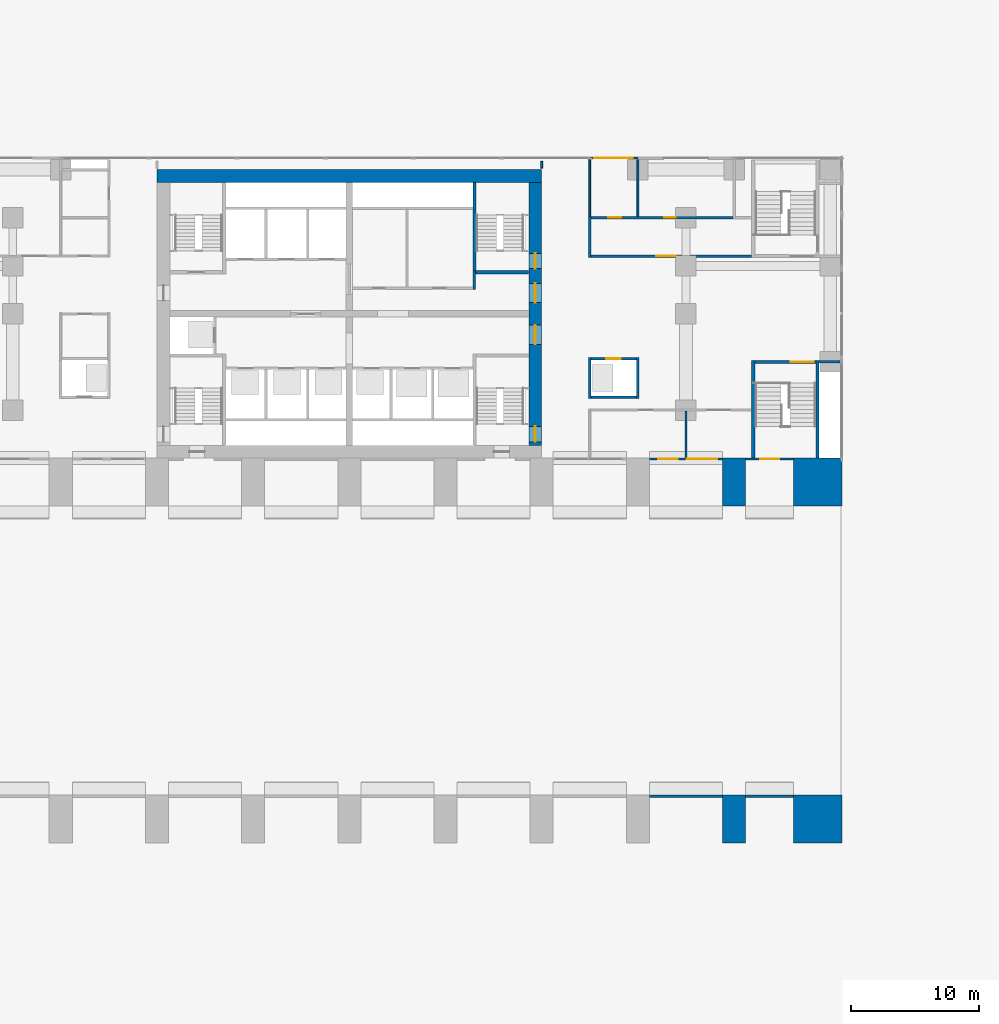
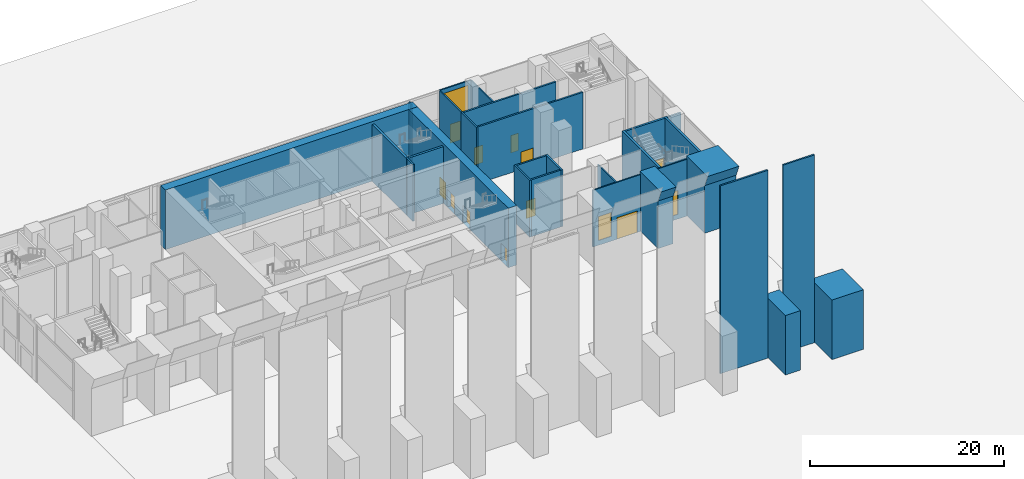
# One storey, part 14 of 21: 29 walls, 11 doors, 3 windows, 14 openings.
"""IFC4 building model written with IfcOpenShell, lengths in metres."""

from ifc_helpers import new_model, si_unit, direction, frame, frame_2d, origin, place, context, subcontext, project, spatial, polyline, rectangle, outline, extrude, material, layer, layer_set, type_object, element, fill, save


model = new_model("IFC4")

# Units and contexts
model_context = context("Model", 3, precision=1e-05, world=origin(), true_north=direction((0.0, 1.0)))
body_context = subcontext(model_context, "Body", "Model", "MODEL_VIEW")
ifc_project = project(units=[si_unit("LENGTHUNIT", "METRE"), si_unit("AREAUNIT", "SQUARE_METRE"), si_unit("VOLUMEUNIT", "CUBIC_METRE"), si_unit("PLANEANGLEUNIT", "RADIAN"), si_unit("MASSUNIT", "GRAM", prefix="KILO")], contexts=[model_context])

# Site, building, storey
site_placement = place(None, origin())
site = spatial("IfcSite", under=ifc_project, at=site_placement, CompositionType="ELEMENT")
building_placement = place(site_placement, origin())
building = spatial("IfcBuilding", under=site, at=building_placement, Name="Pilkhan Gate Tower", CompositionType="ELEMENT")
storey_placement = place(building_placement, origin())
storey = spatial("IfcBuildingStorey", under=building, at=storey_placement, Name="L00", CompositionType="ELEMENT", Elevation=0.0)

# Walls
ifc_material_1 = material(Name="Concrete C70/85", Category="concrete")
ifc_layer_1 = layer(ifc_material_1, 1.800048828125)
ifc_layer_set_1 = layer_set([ifc_layer_1], Name="Arch wall AW1800 C70/85")
wall_type_1 = type_object("IfcWallType", Name="Arch wall AW1800 C70/85", PredefinedType="SHEAR", material=ifc_layer_set_1)
wall_1_placement = place(storey_placement, frame((105.89990234375, 45.60107421875, 7.5), z_axis=(1.0, 0.0, 0.0), x_axis=(0.0, -1.0, 0.0)))
element("IfcWall", 1, at=wall_1_placement, inside=storey, type_object=wall_type_1, Name="Arch wall +30.00 L00-1", PredefinedType="SHEAR", context=body_context, shape_type="SweptSolid", body=[
    extrude(outline(polyline([(0.0, 0.0), (4.35107421875, 0.0), (4.35107421875, 7.5), (0.60107421875, 7.5), (0.60107421875, 1.5), (0.0, 0.0)])), origin(), (0.0, 0.0, -1.0), 1.800048828125),
])
wall_2_placement = place(storey_placement, frame((105.89990234375, 71.25, 7.5), z_axis=(1.0, 0.0, 0.0), x_axis=(0.0, -1.0, 0.0)))
element("IfcWall", 2, at=wall_2_placement, inside=storey, type_object=wall_type_1, Name="Arch wall +30.00 L00-2", PredefinedType="SHEAR", context=body_context, shape_type="SweptSolid", body=[
    extrude(outline(polyline([(0.0, 0.0), (4.35107421875, 0.0), (3.75, 1.5), (3.75, 7.5), (0.0, 7.5), (0.0, 0.0)])), origin(), (0.0, 0.0, -1.0), 1.800048828125),
])
ifc_layer_2 = layer(ifc_material_1, 3.75)
ifc_layer_set_2 = layer_set([ifc_layer_2], Name="Arch wall AW3750 C70/85")
wall_type_2 = type_object("IfcWallType", Name="Arch wall AW3750 C70/85", PredefinedType="SHEAR", material=ifc_layer_set_2)
wall_3_placement = place(storey_placement, frame((113.39990234375, 45.60107421875, 7.5), z_axis=(1.0, 0.0, 0.0), x_axis=(0.0, -1.0, 0.0)))
element("IfcWall", 3, at=wall_3_placement, inside=storey, type_object=wall_type_2, Name="Arch wall +37.50 L00-1", PredefinedType="SHEAR", context=body_context, shape_type="SweptSolid", body=[
    extrude(outline(polyline([(0.0, 0.0), (4.35107421875, 0.0), (4.35107421875, 7.5), (0.60107421875, 7.5), (0.60107421875, 1.5), (0.0, 0.0)])), origin(), (0.0, 0.0, -1.0), 3.75),
])
wall_4_placement = place(storey_placement, frame((113.39990234375, 71.25, 7.5), z_axis=(1.0, 0.0, 0.0), x_axis=(0.0, -1.0, 0.0)))
element("IfcWall", 4, at=wall_4_placement, inside=storey, type_object=wall_type_2, Name="Arch wall +37.50 L00-2", PredefinedType="SHEAR", context=body_context, shape_type="SweptSolid", body=[
    extrude(outline(polyline([(0.0, 0.0), (4.35107421875, 0.0), (3.75, 1.5), (3.75, 7.5), (0.0, 7.5), (0.0, 0.0)])), origin(), (0.0, 0.0, -1.0), 3.75),
])

# Wall, openings, doors
ifc_layer_3 = layer(ifc_material_1, 1.0)
ifc_layer_set_3 = layer_set([ifc_layer_3], Name="Core wall CW1000 C70/85")
wall_type_3 = type_object("IfcWallType", Name="Core wall CW1000 C70/85", PredefinedType="SHEAR", material=ifc_layer_set_3)
wall_5_placement = place(storey_placement, frame((89.5, 72.25, 0.0), z_axis=(0.0, 0.0, 1.0), x_axis=(0.0, 1.0, 0.0)))
wall_5 = element("IfcWall", 5, at=wall_5_placement, inside=storey, type_object=wall_type_3, Name="Core wall E L00", PredefinedType="SHEAR", context=body_context, shape_type="SweptSolid", body=[
    extrude(rectangle(XDim=20.5, YDim=1.0, at=frame_2d((10.25, 0.0))), origin(), (0.0, 0.0, 1.0), 7.5),
])
opening_1_placement = place(wall_5_placement, frame((0.27490234375, 0.0, 0.0)))
opening_1 = element("IfcOpeningElement", 6, at=opening_1_placement, cuts=wall_5, Name="Opening L00-03", PredefinedType="OPENING", context=body_context, shape_type="SweptSolid", body=[
    extrude(rectangle(XDim=1.199951171875, YDim=2.199951171875, at=frame_2d((0.60009765625, 1.10009765625))), frame((0.0, 0.510009765625, 0.0), z_axis=(0.0, -1.0, 0.0), x_axis=(1.0, 0.0, 0.0)), (0.0, 0.0, 1.0), 1.02001953125),
])
opening_2_placement = place(wall_5_placement, frame((13.77490234375, 0.0, 0.0)))
opening_2 = element("IfcOpeningElement", 7, at=opening_2_placement, cuts=wall_5, Name="Opening L00-05", PredefinedType="OPENING", context=body_context, shape_type="SweptSolid", body=[
    extrude(rectangle(XDim=1.199951171875, YDim=2.199951171875, at=frame_2d((0.60009765625, 1.10009765625))), frame((0.0, 0.510009765625, 0.0), z_axis=(0.0, -1.0, 0.0), x_axis=(1.0, 0.0, 0.0)), (0.0, 0.0, 1.0), 1.02001953125),
])
opening_3_placement = place(wall_5_placement, frame((7.875, 0.0, 0.0)))
opening_3 = element("IfcOpeningElement", 8, at=opening_3_placement, cuts=wall_5, Name="Opening L00-15", PredefinedType="OPENING", context=body_context, shape_type="SweptSolid", body=[
    extrude(rectangle(XDim=1.5, YDim=2.199951171875, at=frame_2d((0.75, 1.10009765625))), frame((0.0, 0.510009765625, 0.0), z_axis=(0.0, -1.0, 0.0), x_axis=(1.0, 0.0, 0.0)), (0.0, 0.0, 1.0), 1.02001953125),
])
opening_4_placement = place(wall_5_placement, frame((11.125, 0.0, 0.0)))
opening_4 = element("IfcOpeningElement", 9, at=opening_4_placement, cuts=wall_5, Name="Opening L00-17", PredefinedType="OPENING", context=body_context, shape_type="SweptSolid", body=[
    extrude(rectangle(XDim=1.5, YDim=2.199951171875, at=frame_2d((0.75, 1.10009765625))), frame((0.0, 0.510009765625, 0.0), z_axis=(0.0, -1.0, 0.0), x_axis=(1.0, 0.0, 0.0)), (0.0, 0.0, 1.0), 1.02001953125),
])
ifc_material_2 = material(Name="Steel framed glazed door, 60 minute fire resisting", Category="steel")
door_type_1 = type_object("IfcDoorType", Name="Lobby door D09 1500x2200", OperationType="DOUBLE_DOOR_SINGLE_SWING", PredefinedType="DOOR", material=ifc_material_2)
door_1_placement = place(opening_3_placement, origin())
door_1 = element("IfcDoor", 10, at=door_1_placement, inside=storey, type_object=door_type_1, Name="Core door", OperationType="DOUBLE_DOOR_SINGLE_SWING", OverallHeight=2.199951171875, OverallWidth=1.5, PredefinedType="DOOR", context=body_context, shape_type="SweptSolid", body=[
    extrude(rectangle(XDim=1.5, YDim=2.199951171875, at=frame_2d((0.75, 1.10009765625))), frame((0.0, 0.02490234375, 0.0), z_axis=(0.0, -1.0, 0.0), x_axis=(1.0, 0.0, 0.0)), (0.0, 0.0, 1.0), 0.050048828125),
])
fill(opening_3, door_1)
door_2_placement = place(opening_4_placement, origin())
door_2 = element("IfcDoor", 11, at=door_2_placement, inside=storey, type_object=door_type_1, Name="Core door", OperationType="DOUBLE_DOOR_SINGLE_SWING", OverallHeight=2.199951171875, OverallWidth=1.5, PredefinedType="DOOR", context=body_context, shape_type="SweptSolid", body=[
    extrude(rectangle(XDim=1.5, YDim=2.199951171875, at=frame_2d((0.75, 1.10009765625))), frame((0.0, 0.02490234375, 0.0), z_axis=(0.0, -1.0, 0.0), x_axis=(1.0, 0.0, 0.0)), (0.0, 0.0, 1.0), 0.050048828125),
])
fill(opening_4, door_2)
ifc_material_3 = material(Name="Steel door, 120 minute fire resisting, panic bar", Category="steel")
door_type_2 = type_object("IfcDoorType", Name="Stair door D11 1200x2200", OperationType="SINGLE_SWING_LEFT", PredefinedType="DOOR", material=ifc_material_3)
door_3_placement = place(opening_1_placement, origin())
door_3 = element("IfcDoor", 12, at=door_3_placement, inside=storey, type_object=door_type_2, Name="Stair ST1 door", OperationType="SINGLE_SWING_RIGHT", OverallHeight=2.199951171875, OverallWidth=1.199951171875, PredefinedType="DOOR", context=body_context, shape_type="SweptSolid", body=[
    extrude(rectangle(XDim=1.199951171875, YDim=2.199951171875, at=frame_2d((0.60009765625, 1.10009765625))), frame((0.0, 0.02490234375, 0.0), z_axis=(0.0, -1.0, 0.0), x_axis=(1.0, 0.0, 0.0)), (0.0, 0.0, 1.0), 0.050048828125),
])
fill(opening_1, door_3)
door_4_placement = place(opening_2_placement, origin())
door_4 = element("IfcDoor", 13, at=door_4_placement, inside=storey, type_object=door_type_2, Name="Stair ST4 door", OperationType="SINGLE_SWING_RIGHT", OverallHeight=2.199951171875, OverallWidth=1.199951171875, PredefinedType="DOOR", context=body_context, shape_type="SweptSolid", body=[
    extrude(rectangle(XDim=1.199951171875, YDim=2.199951171875, at=frame_2d((0.60009765625, 1.10009765625))), frame((0.0, 0.02490234375, 0.0), z_axis=(0.0, -1.0, 0.0), x_axis=(1.0, 0.0, 0.0)), (0.0, 0.0, 1.0), 0.050048828125),
])
fill(opening_2, door_4)

# Wall
wall_6_placement = place(storey_placement, frame((90.0, 93.25, 0.0), z_axis=(0.0, 0.0, 1.0), x_axis=(-1.0, 0.0, 0.0)))
element("IfcWall", 14, at=wall_6_placement, inside=storey, type_object=wall_type_3, Name="Core wall N L00", PredefinedType="SHEAR", context=body_context, shape_type="SweptSolid", body=[
    extrude(rectangle(XDim=30.0, YDim=1.0, at=frame_2d((15.0, 0.0))), origin(), (0.0, 0.0, 1.0), 7.5),
])

# Wall, opening, door
ifc_material_4 = material(Name="Dense blockwork", Category="masonry")
ifc_layer_4 = layer(ifc_material_4, 0.199951171875)
ifc_layer_set_4 = layer_set([ifc_layer_4], Name="Corridor wall FW200")
wall_type_4 = type_object("IfcWallType", Name="Corridor wall FW200", PredefinedType="PARTITIONING", material=ifc_layer_set_4)
wall_7_placement = place(storey_placement, frame((93.85009765625, 87.0, 0.0), z_axis=(0.0, 0.0, 1.0), x_axis=(1.0, 0.0, 0.0)))
wall_7 = element("IfcWall", 15, at=wall_7_placement, inside=storey, type_object=wall_type_4, Name="Partition L00", PredefinedType="PARTITIONING", context=body_context, shape_type="SweptSolid", body=[
    extrude(rectangle(XDim=12.52490234375, YDim=0.199951171875, at=frame_2d((6.262451171875, 0.0))), origin(), (0.0, 0.0, 1.0), 7.14990234375),
])
opening_5_placement = place(wall_7_placement, frame((5.10009765625, 0.0, 0.0)))
opening_5 = element("IfcOpeningElement", 16, at=opening_5_placement, cuts=wall_7, Name="Opening L00-25", PredefinedType="OPENING", context=body_context, shape_type="SweptSolid", body=[
    extrude(rectangle(XDim=1.5, YDim=2.199951171875, at=frame_2d((0.75, 1.10009765625))), frame((0.0, 0.10986328125, 0.0), z_axis=(0.0, -1.0, 0.0), x_axis=(1.0, 0.0, 0.0)), (0.0, 0.0, 1.0), 0.219970703125),
])
door_5_placement = place(opening_5_placement, origin())
door_5 = element("IfcDoor", 17, at=door_5_placement, inside=storey, type_object=door_type_1, Name="Lobby door", OperationType="DOUBLE_DOOR_SINGLE_SWING", OverallHeight=2.199951171875, OverallWidth=1.5, PredefinedType="DOOR", context=body_context, shape_type="SweptSolid", body=[
    extrude(rectangle(XDim=1.5, YDim=2.199951171875, at=frame_2d((0.75, 1.10009765625))), frame((0.0, 0.02490234375, 0.0), z_axis=(0.0, -1.0, 0.0), x_axis=(1.0, 0.0, 0.0)), (0.0, 0.0, 1.0), 0.050048828125),
])
fill(opening_5, door_5)

# Wall, openings, doors
wall_8_placement = place(storey_placement, frame((93.85009765625, 90.0, 0.0), z_axis=(0.0, 0.0, 1.0), x_axis=(1.0, 0.0, 0.0)))
wall_8 = element("IfcWall", 18, at=wall_8_placement, inside=storey, type_object=wall_type_4, Name="Partition L00", PredefinedType="PARTITIONING", context=body_context, shape_type="SweptSolid", body=[
    extrude(rectangle(XDim=11.0498046875, YDim=0.199951171875, at=frame_2d((5.52490234375, 0.0))), origin(), (0.0, 0.0, 1.0), 7.14990234375),
])
opening_6_placement = place(wall_8_placement, frame((1.35009765625, 0.0, 0.0)))
opening_6 = element("IfcOpeningElement", 19, at=opening_6_placement, cuts=wall_8, Name="Opening L00-26", PredefinedType="OPENING", context=body_context, shape_type="SweptSolid", body=[
    extrude(rectangle(XDim=1.0, YDim=2.199951171875, at=frame_2d((0.5, 1.10009765625))), frame((0.0, 0.10986328125, 0.0), z_axis=(0.0, -1.0, 0.0), x_axis=(1.0, 0.0, 0.0)), (0.0, 0.0, 1.0), 0.219970703125),
])
opening_7_placement = place(wall_8_placement, frame((5.699951171875, 0.0, 0.0)))
opening_7 = element("IfcOpeningElement", 20, at=opening_7_placement, cuts=wall_8, Name="Opening L00-27", PredefinedType="OPENING", context=body_context, shape_type="SweptSolid", body=[
    extrude(rectangle(XDim=0.89990234375, YDim=2.199951171875, at=frame_2d((0.449951171875, 1.10009765625))), frame((0.0, 0.10986328125, 0.0), z_axis=(0.0, -1.0, 0.0), x_axis=(1.0, 0.0, 0.0)), (0.0, 0.0, 1.0), 0.219970703125),
])
ifc_material_5 = material(Name="Timber flush door, 30 minute fire resisting", Category="wood")
door_type_3 = type_object("IfcDoorType", Name="Room door D03 1000x2200", OperationType="SINGLE_SWING_LEFT", PredefinedType="DOOR", material=ifc_material_5)
door_6_placement = place(opening_6_placement, origin())
door_6 = element("IfcDoor", 21, at=door_6_placement, inside=storey, type_object=door_type_3, Name="Room door", OperationType="SINGLE_SWING_RIGHT", OverallHeight=2.199951171875, OverallWidth=1.0, PredefinedType="DOOR", context=body_context, shape_type="SweptSolid", body=[
    extrude(rectangle(XDim=1.0, YDim=2.199951171875, at=frame_2d((0.5, 1.10009765625))), frame((0.0, 0.02490234375, 0.0), z_axis=(0.0, -1.0, 0.0), x_axis=(1.0, 0.0, 0.0)), (0.0, 0.0, 1.0), 0.050048828125),
])
fill(opening_6, door_6)
ifc_material_6 = material(Name="Timber flush door, 60 minute fire resisting, self-closing", Category="wood")
door_type_4 = type_object("IfcDoorType", Name="Store door D05 900x2200", OperationType="SINGLE_SWING_LEFT", PredefinedType="DOOR", material=ifc_material_6)
door_7_placement = place(opening_7_placement, origin())
door_7 = element("IfcDoor", 22, at=door_7_placement, inside=storey, type_object=door_type_4, Name="Store door", OperationType="SINGLE_SWING_LEFT", OverallHeight=2.199951171875, OverallWidth=0.89990234375, PredefinedType="DOOR", context=body_context, shape_type="SweptSolid", body=[
    extrude(rectangle(XDim=0.89990234375, YDim=2.199951171875, at=frame_2d((0.449951171875, 1.10009765625))), frame((0.0, 0.02490234375, 0.0), z_axis=(0.0, -1.0, 0.0), x_axis=(1.0, 0.0, 0.0)), (0.0, 0.0, 1.0), 0.050048828125),
])
fill(opening_7, door_7)

# Wall
wall_9_placement = place(storey_placement, frame((93.75, 86.89990234375, 0.0), z_axis=(0.0, 0.0, 1.0), x_axis=(0.0, 1.0, 0.0)))
element("IfcWall", 23, at=wall_9_placement, inside=storey, type_object=wall_type_4, Name="Partition L00", PredefinedType="PARTITIONING", context=body_context, shape_type="SweptSolid", body=[
    extrude(rectangle(XDim=3.2001953125, YDim=0.199951171875, at=frame_2d((1.60009765625, 0.0))), origin(), (0.0, 0.0, 1.0), 7.14990234375),
])

# Wall, openings, door, window
ifc_material_7 = material(Name="Pale anodised aluminium, clear laminated glazing", Category="aluminium")
ifc_layer_5 = layer(ifc_material_7, 0.14990234375)
ifc_layer_set_5 = layer_set([ifc_layer_5], Name="Facade infill wall IW150")
wall_type_5 = type_object("IfcWallType", Name="Facade infill wall IW150", PredefinedType="SOLIDWALL", material=ifc_layer_set_5)
wall_10_placement = place(storey_placement, frame((93.75, 94.64501953125, 0.0), z_axis=(0.0, 0.0, 1.0), x_axis=(1.0, 0.0, 0.0)))
wall_10 = element("IfcWall", 24, at=wall_10_placement, inside=storey, type_object=wall_type_5, Name="Infill wall L00 N", PredefinedType="SOLIDWALL", context=body_context, shape_type="SweptSolid", body=[
    extrude(rectangle(XDim=3.75, YDim=0.14990234375, at=frame_2d((1.875, 0.0))), origin(), (0.0, 0.0, 1.0), 7.14990234375),
])
opening_8_placement = place(wall_10_placement, frame((1.25, 0.0, 0.0)))
opening_8 = element("IfcOpeningElement", 25, at=opening_8_placement, cuts=wall_10, Name="Opening D7", PredefinedType="OPENING", context=body_context, shape_type="SweptSolid", body=[
    extrude(rectangle(XDim=1.199951171875, YDim=2.39990234375, at=frame_2d((0.60009765625, 1.199951171875))), frame((0.0, 0.0849609375, 0.0), z_axis=(0.0, -1.0, 0.0), x_axis=(1.0, 0.0, 0.0)), (0.0, 0.0, 1.0), 0.169921875),
])
opening_9_placement = place(wall_10_placement, frame((0.35009765625, 0.0, 3.0)))
opening_9 = element("IfcOpeningElement", 26, at=opening_9_placement, cuts=wall_10, Name="Opening W3", PredefinedType="OPENING", context=body_context, shape_type="SweptSolid", body=[
    extrude(rectangle(XDim=3.0, YDim=3.60009765625, at=frame_2d((1.5, 1.800048828125))), frame((0.0, 0.0849609375, 0.0), z_axis=(0.0, -1.0, 0.0), x_axis=(1.0, 0.0, 0.0)), (0.0, 0.0, 1.0), 0.169921875),
])
ifc_material_8 = material(Name="Steel door, powder coated pale grey", Category="steel")
door_type_5 = type_object("IfcDoorType", Name="Staff door D7 1200x2400", OperationType="SINGLE_SWING_LEFT", PredefinedType="DOOR", material=ifc_material_8)
door_8_placement = place(opening_8_placement, origin())
door_8 = element("IfcDoor", 27, at=door_8_placement, inside=storey, type_object=door_type_5, Name="Staff entrance", OperationType="SINGLE_SWING_LEFT", OverallHeight=2.39990234375, OverallWidth=1.199951171875, PredefinedType="DOOR", context=body_context, shape_type="SweptSolid", body=[
    extrude(rectangle(XDim=1.199951171875, YDim=2.39990234375, at=frame_2d((0.60009765625, 1.199951171875))), frame((0.0, 0.02490234375, 0.0), z_axis=(0.0, -1.0, 0.0), x_axis=(1.0, 0.0, 0.0)), (0.0, 0.0, 1.0), 0.050048828125),
])
fill(opening_8, door_8)
window_type_1 = type_object("IfcWindowType", Name="Window W3 3000x3600", PartitioningType="SINGLE_PANEL", PredefinedType="WINDOW", material=ifc_material_7)
window_1_placement = place(opening_9_placement, origin())
window_1 = element("IfcWindow", 28, at=window_1_placement, inside=storey, type_object=window_type_1, Name="Fanlight", OverallHeight=3.60009765625, OverallWidth=3.0, PartitioningType="SINGLE_PANEL", PredefinedType="WINDOW", context=body_context, shape_type="SweptSolid", body=[
    extrude(rectangle(XDim=3.0, YDim=3.60009765625, at=frame_2d((1.5, 1.800048828125))), frame((0.0, 0.030029296875, 0.0), z_axis=(0.0, -1.0, 0.0), x_axis=(1.0, 0.0, 0.0)), (0.0, 0.0, 1.0), 0.06005859375),
])
fill(opening_9, window_1)

wall_11_placement = place(storey_placement, frame((104.10009765625, 71.175048828125, 0.0), z_axis=(0.0, 0.0, 1.0), x_axis=(-1.0, 0.0, 0.0)))
wall_11 = element("IfcWall", 29, at=wall_11_placement, inside=storey, type_object=wall_type_5, Name="Shopfront wall L00", PredefinedType="SOLIDWALL", context=body_context, shape_type="SweptSolid", body=[
    extrude(rectangle(XDim=5.7001953125, YDim=0.14990234375, at=frame_2d((2.85009765625, 0.0))), origin(), (0.0, 0.0, 1.0), 7.14990234375),
])
opening_10_placement = place(wall_11_placement, frame((0.39990234375, 0.0, 0.0)))
opening_10 = element("IfcOpeningElement", 30, at=opening_10_placement, cuts=wall_11, Name="Opening D6", PredefinedType="OPENING", context=body_context, shape_type="SweptSolid", body=[
    extrude(rectangle(XDim=2.39990234375, YDim=2.699951171875, at=frame_2d((1.199951171875, 1.35009765625))), frame((0.0, 0.0849609375, 0.0), z_axis=(0.0, -1.0, 0.0), x_axis=(1.0, 0.0, 0.0)), (0.0, 0.0, 1.0), 0.169921875),
])
opening_11_placement = place(wall_11_placement, frame((3.5, 0.0, 0.60009765625)))
opening_11 = element("IfcOpeningElement", 31, at=opening_11_placement, cuts=wall_11, Name="Opening WS1", PredefinedType="OPENING", context=body_context, shape_type="SweptSolid", body=[
    extrude(rectangle(XDim=1.5, YDim=3.0, at=frame_2d((0.75, 1.5))), frame((0.0, 0.0849609375, 0.0), z_axis=(0.0, -1.0, 0.0), x_axis=(1.0, 0.0, 0.0)), (0.0, 0.0, 1.0), 0.169921875),
])
ifc_material_9 = material(Name="Pale anodised aluminium, clear glazing", Category="aluminium")
door_type_6 = type_object("IfcDoorType", Name="Entrance door D6 2400x2700", OperationType="DOUBLE_DOOR_SINGLE_SWING", PredefinedType="DOOR", material=ifc_material_9)
door_9_placement = place(opening_10_placement, origin())
door_9 = element("IfcDoor", 32, at=door_9_placement, inside=storey, type_object=door_type_6, Name="Shop entrance", OperationType="DOUBLE_DOOR_SINGLE_SWING", OverallHeight=2.699951171875, OverallWidth=2.39990234375, PredefinedType="DOOR", context=body_context, shape_type="SweptSolid", body=[
    extrude(rectangle(XDim=2.39990234375, YDim=2.699951171875, at=frame_2d((1.199951171875, 1.35009765625))), frame((0.0, 0.02490234375, 0.0), z_axis=(0.0, -1.0, 0.0), x_axis=(1.0, 0.0, 0.0)), (0.0, 0.0, 1.0), 0.050048828125),
])
fill(opening_10, door_9)
window_type_2 = type_object("IfcWindowType", Name="Shopfront window WS1 1500x3000", PartitioningType="SINGLE_PANEL", PredefinedType="WINDOW", material=ifc_material_7)
window_2_placement = place(opening_11_placement, origin())
window_2 = element("IfcWindow", 33, at=window_2_placement, inside=storey, type_object=window_type_2, Name="Shopfront window L00", OverallHeight=3.0, OverallWidth=1.5, PartitioningType="SINGLE_PANEL", PredefinedType="WINDOW", context=body_context, shape_type="SweptSolid", body=[
    extrude(rectangle(XDim=1.5, YDim=3.0, at=frame_2d((0.75, 1.5))), frame((0.0, 0.030029296875, 0.0), z_axis=(0.0, -1.0, 0.0), x_axis=(1.0, 0.0, 0.0)), (0.0, 0.0, 1.0), 0.06005859375),
])
fill(opening_11, window_2)

# Wall, opening, window
wall_12_placement = place(storey_placement, frame((109.64990234375, 71.175048828125, 0.0), z_axis=(0.0, 0.0, 1.0), x_axis=(-1.0, 0.0, 0.0)))
wall_12 = element("IfcWall", 34, at=wall_12_placement, inside=storey, type_object=wall_type_5, Name="Shopfront wall L00", PredefinedType="SOLIDWALL", context=body_context, shape_type="SweptSolid", body=[
    extrude(rectangle(XDim=3.75, YDim=0.14990234375, at=frame_2d((1.875, 0.0))), origin(), (0.0, 0.0, 1.0), 7.14990234375),
])
opening_12_placement = place(wall_12_placement, frame((1.125, 0.0, 0.60009765625)))
opening_12 = element("IfcOpeningElement", 35, at=opening_12_placement, cuts=wall_12, Name="Opening WS1", PredefinedType="OPENING", context=body_context, shape_type="SweptSolid", body=[
    extrude(rectangle(XDim=1.5, YDim=3.0, at=frame_2d((0.75, 1.5))), frame((0.0, 0.0849609375, 0.0), z_axis=(0.0, -1.0, 0.0), x_axis=(1.0, 0.0, 0.0)), (0.0, 0.0, 1.0), 0.169921875),
])
window_3_placement = place(opening_12_placement, origin())
window_3 = element("IfcWindow", 36, at=window_3_placement, inside=storey, type_object=window_type_2, Name="Shopfront window L00", OverallHeight=3.0, OverallWidth=1.5, PartitioningType="SINGLE_PANEL", PredefinedType="WINDOW", context=body_context, shape_type="SweptSolid", body=[
    extrude(rectangle(XDim=1.5, YDim=3.0, at=frame_2d((0.75, 1.5))), frame((0.0, 0.030029296875, 0.0), z_axis=(0.0, -1.0, 0.0), x_axis=(1.0, 0.0, 0.0)), (0.0, 0.0, 1.0), 0.06005859375),
])
fill(opening_12, window_3)

# Walls
ifc_layer_6 = layer(ifc_material_4, 0.199951171875)
ifc_layer_set_6 = layer_set([ifc_layer_6], Name="Lobby wall LW200")
wall_type_6 = type_object("IfcWallType", Name="Lobby wall LW200", PredefinedType="PARTITIONING", material=ifc_layer_set_6)
wall_13_placement = place(storey_placement, frame((111.625, 78.75, 0.0), z_axis=(0.0, 0.0, 1.0), x_axis=(1.0, 0.0, 0.0)))
element("IfcWall", 37, at=wall_13_placement, inside=storey, type_object=wall_type_6, Name="Partition L00", PredefinedType="PARTITIONING", context=body_context, shape_type="SweptSolid", body=[
    extrude(rectangle(XDim=1.639892578125, YDim=0.199951171875, at=frame_2d((0.81982421875, 0.0))), origin(), (0.0, 0.0, 1.0), 7.14990234375),
])
wall_14_placement = place(storey_placement, frame((84.75, 84.39990234375, 0.0), z_axis=(0.0, 0.0, 1.0), x_axis=(0.0, 1.0, 0.0)))
element("IfcWall", 38, at=wall_14_placement, inside=storey, type_object=wall_type_6, Name="Partition L00", PredefinedType="PARTITIONING", context=body_context, shape_type="SweptSolid", body=[
    extrude(rectangle(XDim=1.47509765625, YDim=0.199951171875, at=frame_2d((0.737548828125, 0.0))), origin(), (0.0, 0.0, 1.0), 7.14990234375),
])
ifc_material_10 = material(Name="Blockwork partition, plastered both sides", Category="masonry")
ifc_layer_7 = layer(ifc_material_10, 0.14990234375)
ifc_layer_set_7 = layer_set([ifc_layer_7], Name="Partition PW150")
wall_type_7 = type_object("IfcWallType", Name="Partition PW150", PredefinedType="PARTITIONING", material=ifc_layer_set_7)
wall_15_placement = place(storey_placement, frame((90.0, 93.8701171875, 0.0), z_axis=(0.0, 0.0, 1.0), x_axis=(0.0, 1.0, 0.0)))
element("IfcWall", 39, at=wall_15_placement, inside=storey, type_object=wall_type_7, Name="Partition L00", PredefinedType="PARTITIONING", context=body_context, shape_type="SweptSolid", body=[
    extrude(rectangle(XDim=0.52490234375, YDim=0.14990234375, at=frame_2d((0.262451171875, 0.0))), origin(), (0.0, 0.0, 1.0), 7.14990234375),
])
wall_16_placement = place(storey_placement, frame((93.75, 90.0, 0.0), z_axis=(0.0, 0.0, 1.0), x_axis=(0.0, 1.0, 0.0)))
element("IfcWall", 40, at=wall_16_placement, inside=storey, type_object=wall_type_7, Name="Partition L00", PredefinedType="PARTITIONING", context=body_context, shape_type="SweptSolid", body=[
    extrude(rectangle(XDim=4.514892578125, YDim=0.14990234375, at=frame_2d((2.25732421875, 0.0))), origin(), (0.0, 0.0, 1.0), 7.14990234375),
])
wall_17_placement = place(storey_placement, frame((97.5, 90.10009765625, 0.0), z_axis=(0.0, 0.0, 1.0), x_axis=(0.0, 1.0, 0.0)))
element("IfcWall", 41, at=wall_17_placement, inside=storey, type_object=wall_type_7, Name="Partition L00", PredefinedType="PARTITIONING", context=body_context, shape_type="SweptSolid", body=[
    extrude(rectangle(XDim=4.414794921875, YDim=0.14990234375, at=frame_2d((2.20751953125, 0.0))), origin(), (0.0, 0.0, 1.0), 7.14990234375),
])
wall_18_placement = place(storey_placement, frame((101.25, 71.25, 0.0), z_axis=(0.0, 0.0, 1.0), x_axis=(0.0, 1.0, 0.0)))
element("IfcWall", 42, at=wall_18_placement, inside=storey, type_object=wall_type_7, Name="Partition L00", PredefinedType="PARTITIONING", context=body_context, shape_type="SweptSolid", body=[
    extrude(rectangle(XDim=3.675048828125, YDim=0.14990234375, at=frame_2d((1.83740234375, 0.0))), origin(), (0.0, 0.0, 1.0), 7.14990234375),
])
ifc_material_11 = material(Name="Pale anodised aluminium cladding, insulated", Category="aluminium")
ifc_layer_8 = layer(ifc_material_11, 0.199951171875)
ifc_layer_set_8 = layer_set([ifc_layer_8], Name="Passage infill wall PI200")
wall_type_8 = type_object("IfcWallType", Name="Passage infill wall PI200", PredefinedType="SOLIDWALL", material=ifc_layer_set_8)
wall_19_placement = place(storey_placement, frame((104.10009765625, 44.89990234375, 0.0), z_axis=(0.0, 0.0, 1.0), x_axis=(-1.0, 0.0, 0.0)))
element("IfcWall", 43, at=wall_19_placement, inside=storey, type_object=wall_type_8, Name="Passage infill wall", PredefinedType="SOLIDWALL", context=body_context, shape_type="SweptSolid", body=[
    extrude(rectangle(XDim=5.7001953125, YDim=0.199951171875, at=frame_2d((2.85009765625, 0.0))), origin(), (0.0, 0.0, 1.0), 23.64990234375),
])
wall_20_placement = place(storey_placement, frame((109.64990234375, 44.89990234375, 0.0), z_axis=(0.0, 0.0, 1.0), x_axis=(-1.0, 0.0, 0.0)))
element("IfcWall", 44, at=wall_20_placement, inside=storey, type_object=wall_type_8, Name="Passage infill wall", PredefinedType="SOLIDWALL", context=body_context, shape_type="SweptSolid", body=[
    extrude(rectangle(XDim=3.75, YDim=0.199951171875, at=frame_2d((1.875, 0.0))), origin(), (0.0, 0.0, 1.0), 23.64990234375),
])
ifc_material_12 = material(Name="Reinforced blockwork shaft wall, 120 minute fire resisting", Category="masonry")
ifc_layer_9 = layer(ifc_material_12, 0.199951171875)
ifc_layer_set_9 = layer_set([ifc_layer_9], Name="Shaft wall SW200")
wall_type_9 = type_object("IfcWallType", Name="Shaft wall SW200", PredefinedType="PARTITIONING", material=ifc_layer_set_9)
wall_21_placement = place(storey_placement, frame((93.85009765625, 76.0, 0.0), z_axis=(0.0, 0.0, 1.0), x_axis=(1.0, 0.0, 0.0)))
element("IfcWall", 45, at=wall_21_placement, inside=storey, type_object=wall_type_9, Name="Partition L00", PredefinedType="PARTITIONING", context=body_context, shape_type="SweptSolid", body=[
    extrude(rectangle(XDim=3.5498046875, YDim=0.199951171875, at=frame_2d((1.77490234375, 0.0))), origin(), (0.0, 0.0, 1.0), 7.14990234375),
])

# Wall, opening, door
wall_22_placement = place(storey_placement, frame((93.85009765625, 79.0, 0.0), z_axis=(0.0, 0.0, 1.0), x_axis=(1.0, 0.0, 0.0)))
wall_22 = element("IfcWall", 46, at=wall_22_placement, inside=storey, type_object=wall_type_9, Name="Partition L00", PredefinedType="PARTITIONING", context=body_context, shape_type="SweptSolid", body=[
    extrude(rectangle(XDim=3.5498046875, YDim=0.199951171875, at=frame_2d((1.77490234375, 0.0))), origin(), (0.0, 0.0, 1.0), 7.14990234375),
])
opening_13_placement = place(wall_22_placement, frame((1.199951171875, 0.0, 0.0)))
opening_13 = element("IfcOpeningElement", 47, at=opening_13_placement, cuts=wall_22, Name="Opening LD", PredefinedType="OPENING", context=body_context, shape_type="SweptSolid", body=[
    extrude(rectangle(XDim=1.10009765625, YDim=2.199951171875, at=frame_2d((0.550048828125, 1.10009765625))), frame((0.0, 0.10986328125, 0.0), z_axis=(0.0, -1.0, 0.0), x_axis=(1.0, 0.0, 0.0)), (0.0, 0.0, 1.0), 0.219970703125),
])
ifc_material_13 = material(Name="Stainless steel centre-opening landing door, 120 minute fire resisting", Category="steel")
door_type_7 = type_object("IfcDoorType", Name="Lift landing door LD 1100x2200", OperationType="DOUBLE_DOOR_SLIDING", PredefinedType="DOOR", material=ifc_material_13)
door_10_placement = place(opening_13_placement, origin())
door_10 = element("IfcDoor", 48, at=door_10_placement, inside=storey, type_object=door_type_7, Name="Landing door P2", OperationType="DOUBLE_DOOR_SLIDING", OverallHeight=2.199951171875, OverallWidth=1.10009765625, PredefinedType="DOOR", context=body_context, shape_type="SweptSolid", body=[
    extrude(rectangle(XDim=1.10009765625, YDim=2.199951171875, at=frame_2d((0.550048828125, 1.10009765625))), frame((0.0, 0.02490234375, 0.0), z_axis=(0.0, -1.0, 0.0), x_axis=(1.0, 0.0, 0.0)), (0.0, 0.0, 1.0), 0.050048828125),
])
fill(opening_13, door_10)

# Walls
for number, where, z_axis, x_axis, name in (
    (49, (93.75, 75.89990234375, 0.0), (0.0, 0.0, 1.0), (0.0, 1.0, 0.0), "Partition L00"),
    (50, (97.5, 75.89990234375, 0.0), (0.0, 0.0, 1.0), (0.0, 1.0, 0.0), "Partition L00"),
):
    element("IfcWall", number, at=place(storey_placement, frame(where, z_axis=z_axis, x_axis=x_axis)), inside=storey, type_object=wall_type_9, Name=name, PredefinedType="PARTITIONING", context=body_context, shape_type="SweptSolid", body=[
        extrude(rectangle(XDim=3.2001953125, YDim=0.199951171875, at=frame_2d((1.60009765625, 0.0))), origin(), (0.0, 0.0, 1.0), 7.14990234375),
    ])

# Wall, opening, door
ifc_material_14 = material(Name="Reinforced blockwork, 120 minute fire resisting", Category="masonry")
ifc_layer_10 = layer(ifc_material_14, 0.25)
ifc_layer_set_10 = layer_set([ifc_layer_10], Name="Stair enclosure wall SE250")
wall_type_10 = type_object("IfcWallType", Name="Stair enclosure wall SE250", PredefinedType="PARTITIONING", material=ifc_layer_set_10)
wall_23_placement = place(storey_placement, frame((106.625, 78.75, 0.0), z_axis=(0.0, 0.0, 1.0), x_axis=(1.0, 0.0, 0.0)))
wall_23 = element("IfcWall", 51, at=wall_23_placement, inside=storey, type_object=wall_type_10, Name="Partition L00", PredefinedType="PARTITIONING", context=body_context, shape_type="SweptSolid", body=[
    extrude(rectangle(XDim=4.75, YDim=0.25, at=frame_2d((2.375, 0.0))), origin(), (0.0, 0.0, 1.0), 7.14990234375),
])
opening_14_placement = place(wall_23_placement, frame((2.800048828125, 0.0, 0.0)))
opening_14 = element("IfcOpeningElement", 52, at=opening_14_placement, cuts=wall_23, Name="Opening L00-11", PredefinedType="OPENING", context=body_context, shape_type="SweptSolid", body=[
    extrude(rectangle(XDim=1.800048828125, YDim=2.199951171875, at=frame_2d((0.89990234375, 1.10009765625))), frame((0.0, 0.135009765625, 0.0), z_axis=(0.0, -1.0, 0.0), x_axis=(1.0, 0.0, 0.0)), (0.0, 0.0, 1.0), 0.27001953125),
])
ifc_material_15 = material(Name="Steel double door, 120 minute fire resisting, panic bar", Category="steel")
door_type_8 = type_object("IfcDoorType", Name="Stair door D14 1800x2200", OperationType="DOUBLE_DOOR_SINGLE_SWING", PredefinedType="DOOR", material=ifc_material_15)
door_11_placement = place(opening_14_placement, origin())
door_11 = element("IfcDoor", 53, at=door_11_placement, inside=storey, type_object=door_type_8, Name="Stair PS4 door", OperationType="DOUBLE_DOOR_SINGLE_SWING", OverallHeight=2.199951171875, OverallWidth=1.800048828125, PredefinedType="DOOR", context=body_context, shape_type="SweptSolid", body=[
    extrude(rectangle(XDim=1.800048828125, YDim=2.199951171875, at=frame_2d((0.89990234375, 1.10009765625))), frame((0.0, 0.02490234375, 0.0), z_axis=(0.0, -1.0, 0.0), x_axis=(1.0, 0.0, 0.0)), (0.0, 0.0, 1.0), 0.050048828125),
])
fill(opening_14, door_11)

# Walls
wall_24_placement = place(storey_placement, frame((84.875, 85.75, 0.0), z_axis=(0.0, 0.0, 1.0), x_axis=(1.0, 0.0, 0.0)))
element("IfcWall", 54, at=wall_24_placement, inside=storey, type_object=wall_type_10, Name="Partition L00", PredefinedType="PARTITIONING", context=body_context, shape_type="SweptSolid", body=[
    extrude(rectangle(XDim=4.114990234375, YDim=0.25, at=frame_2d((2.0576171875, 0.0))), origin(), (0.0, 0.0, 1.0), 7.14990234375),
])
wall_25_placement = place(storey_placement, frame((84.75, 85.625, 0.0), z_axis=(0.0, 0.0, 1.0), x_axis=(0.0, 1.0, 0.0)))
element("IfcWall", 55, at=wall_25_placement, inside=storey, type_object=wall_type_10, Name="Partition L00", PredefinedType="PARTITIONING", context=body_context, shape_type="SweptSolid", body=[
    extrude(rectangle(XDim=7.114990234375, YDim=0.25, at=frame_2d((3.5576171875, 0.0))), origin(), (0.0, 0.0, 1.0), 7.14990234375),
])
for number, where, z_axis, x_axis, name in (
    (56, (106.5, 71.25, 0.0), (0.0, 0.0, 1.0), (0.0, 1.0, 0.0), "Partition L00"),
    (57, (111.5, 71.25, 0.0), (0.0, 0.0, 1.0), (0.0, 1.0, 0.0), "Partition L00"),
):
    element("IfcWall", number, at=place(storey_placement, frame(where, z_axis=z_axis, x_axis=x_axis)), inside=storey, type_object=wall_type_10, Name=name, PredefinedType="PARTITIONING", context=body_context, shape_type="SweptSolid", body=[
        extrude(rectangle(XDim=7.625, YDim=0.25, at=frame_2d((3.8125, 0.0))), origin(), (0.0, 0.0, 1.0), 7.14990234375),
    ])

save(model, "model.ifc")
